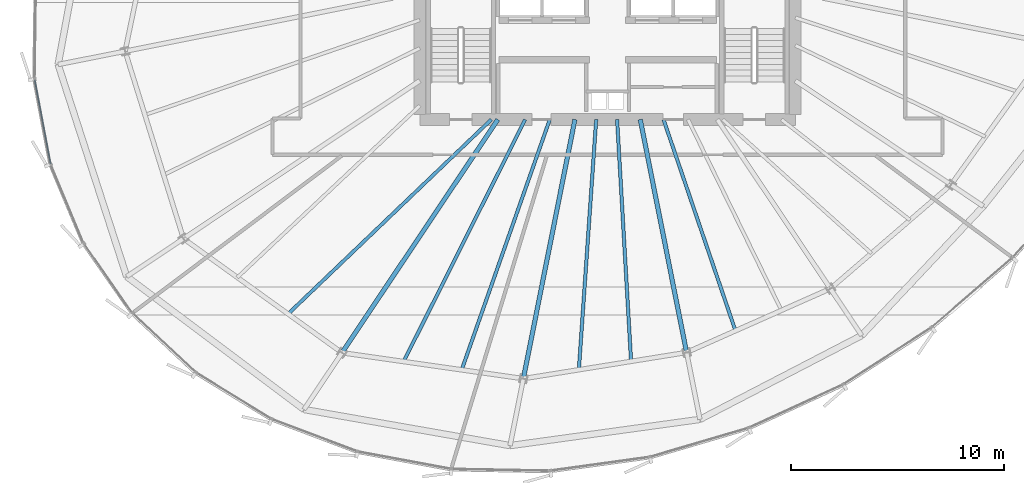
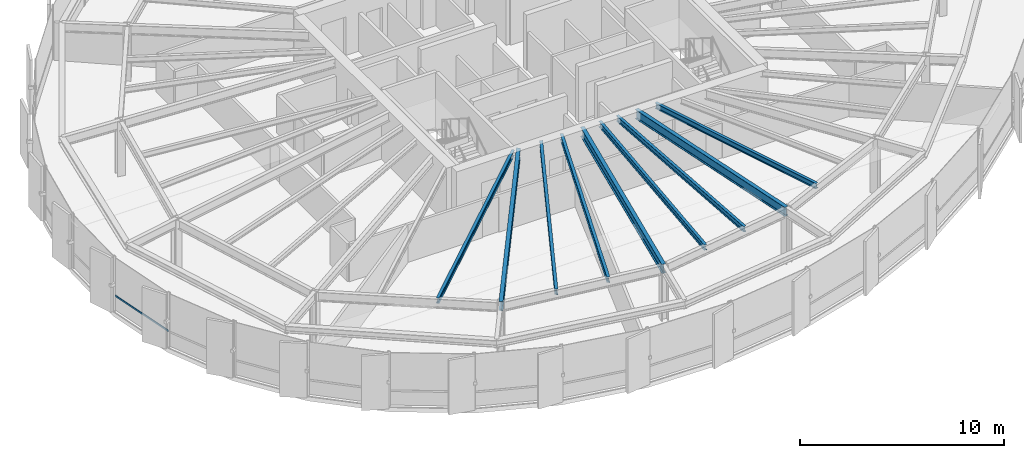
# One storey, part 7 of 36: 9 beams, 1 member, 1 element without a shape of its own.
"""IFC4 building model written with IfcOpenShell, lengths in metres."""

from ifc_helpers import new_model, si_unit, direction, frame, origin, origin_2d, place, context, subcontext, project, spatial, hollow_rectangle, i_section, extrude, source, transform, mapped, material, layer, layer_set, material_profile, profile_set, type_object, element, aggregate, save


model = new_model("IFC4")

# Units and contexts
model_context = context("Model", 3, precision=1e-05, world=origin(), true_north=direction((0.0, 1.0)))
body_context = subcontext(model_context, "Body", "Model", "MODEL_VIEW")
ifc_project = project(units=[si_unit("LENGTHUNIT", "METRE"), si_unit("AREAUNIT", "SQUARE_METRE"), si_unit("VOLUMEUNIT", "CUBIC_METRE"), si_unit("PLANEANGLEUNIT", "RADIAN"), si_unit("MASSUNIT", "GRAM", prefix="KILO"), si_unit("THERMODYNAMICTEMPERATUREUNIT", "KELVIN")], contexts=[model_context])

# Site, building, storey
site_placement = place(None, origin())
site = spatial("IfcSite", under=ifc_project, at=site_placement, CompositionType="ELEMENT")
building_placement = place(site_placement, origin())
building = spatial("IfcBuilding", under=site, at=building_placement, Name="Kethvar Cultural Tower", CompositionType="ELEMENT")
storey_placement = place(building_placement, frame((0.0, 0.0, 150.10009765625)))
storey = spatial("IfcBuildingStorey", under=building, at=storey_placement, Name="L38", CompositionType="ELEMENT", Elevation=150.10009765625)

# Beams
ifc_material_1 = material(Name="Steel S355J2", Category="steel")
ifc_material_profile_1 = material_profile(ifc_material_1, i_section(OverallWidth=0.2099609375, OverallDepth=0.550048828125, WebThickness=0.010986328125, FlangeThickness=0.01708984375, FilletRadius=0.02392578125, at=origin_2d()), Name="Steel S355J2 — IPE550")
ifc_profile_set_1 = profile_set([ifc_material_profile_1], Name="Steel S355J2 — IPE550")
beam_type_1 = type_object("IfcBeamType", Name="BM-IPE550", PredefinedType="BEAM", material=ifc_profile_set_1)
shared_shape_1 = source(origin(), body_context, "Body", "SweptSolid", [
    extrude(i_section(OverallWidth=0.2099609375, OverallDepth=0.550048828125, WebThickness=0.010986328125, FlangeThickness=0.01708984375, FilletRadius=0.02392578125, at=origin_2d()), origin(), (0.0, 0.0, 1.0), 13.147216796875),
])
beam_1_placement = place(storey_placement, frame((41.655029296875, 20.10009765625, 3.02294921875), z_axis=(-0.555565525446, -0.831472757783, 0.0), x_axis=(0.831472757783, -0.555565525446, 0.0)))
element("IfcBeam", 1, at=beam_1_placement, inside=storey, type_object=beam_type_1, Name="L38 Primary Radial Beam RB-11", PredefinedType="BEAM", context=body_context, shape_type="MappedRepresentation", body=[
    mapped(shared_shape_1, transform((0.0, 0.0, 0.0), scale=1.0)),
])
shared_shape_2 = source(origin(), body_context, "Body", "SweptSolid", [
    extrude(i_section(OverallWidth=0.2099609375, OverallDepth=0.550048828125, WebThickness=0.010986328125, FlangeThickness=0.01708984375, FilletRadius=0.02392578125, at=origin_2d()), origin(), (0.0, 0.0, 1.0), 12.384521484375),
])
beam_2_placement = place(storey_placement, frame((45.268310546875, 20.10009765625, 3.02294921875), z_axis=(-0.195084858678, -0.980786367113, 0.0), x_axis=(0.980786367113, -0.195084858678, 0.0)))
element("IfcBeam", 2, at=beam_2_placement, inside=storey, type_object=beam_type_1, Name="L38 Primary Radial Beam RB-12", PredefinedType="BEAM", context=body_context, shape_type="MappedRepresentation", body=[
    mapped(shared_shape_2, transform((0.0, 0.0, 0.0), scale=1.0)),
])
shared_shape_3 = source(origin(), body_context, "Body", "SweptSolid", [
    extrude(i_section(OverallWidth=0.2099609375, OverallDepth=0.550048828125, WebThickness=0.010986328125, FlangeThickness=0.01708984375, FilletRadius=0.02392578125, at=origin_2d()), origin(), (0.0, 0.0, 1.0), 11.131591796875),
])
beam_3_placement = place(storey_placement, frame((48.33154296875, 20.10009765625, 3.02294921875), z_axis=(0.195107998266, -0.980781764213, 0.0), x_axis=(0.980781764213, 0.195107998266, 0.0)))
element("IfcBeam", 3, at=beam_3_placement, inside=storey, type_object=beam_type_1, Name="L38 Primary Radial Beam RB-13", PredefinedType="BEAM", context=body_context, shape_type="MappedRepresentation", body=[
    mapped(shared_shape_3, transform((0.0, 0.0, 0.0), scale=1.0)),
])
ifc_material_profile_2 = material_profile(ifc_material_1, i_section(OverallWidth=0.159912109375, OverallDepth=0.330078125, WebThickness=0.007568359375, FlangeThickness=0.011474609375, FilletRadius=0.01806640625, at=origin_2d()), Name="Steel S355J2 — IPE330")
ifc_profile_set_2 = profile_set([ifc_material_profile_2], Name="Steel S355J2 — IPE330")
beam_type_2 = type_object("IfcBeamType", Name="BM-J330", PredefinedType="JOIST", material=ifc_profile_set_2)
shared_shape_4 = source(origin(), body_context, "Body", "SweptSolid", [
    extrude(i_section(OverallWidth=0.159912109375, OverallDepth=0.330078125, WebThickness=0.007568359375, FlangeThickness=0.011474609375, FilletRadius=0.01806640625, at=origin_2d()), origin(), (0.0, 0.0, 1.0), 13.1826171875),
])
beam_4_placement = place(storey_placement, frame((41.35009765625, 20.10009765625, 3.1328125), z_axis=(-0.722573880181, -0.691293705801, 0.0), x_axis=(0.691293705801, -0.722573880181, 0.0)))
element("IfcBeam", 4, at=beam_4_placement, inside=storey, type_object=beam_type_2, Name="L38 Composite Floor Joist J-10B", PredefinedType="JOIST", context=body_context, shape_type="MappedRepresentation", body=[
    mapped(shared_shape_4, transform((0.0, 0.0, 0.0), scale=1.0)),
])
shared_shape_5 = source(origin(), body_context, "Body", "SweptSolid", [
    extrude(i_section(OverallWidth=0.159912109375, OverallDepth=0.330078125, WebThickness=0.007568359375, FlangeThickness=0.011474609375, FilletRadius=0.01806640625, at=origin_2d()), origin(), (0.0, 0.0, 1.0), 12.693603515625),
])
beam_5_placement = place(storey_placement, frame((42.935302734375, 20.10009765625, 3.1328125), z_axis=(-0.448582495233, -0.893741430712, 0.0), x_axis=(0.893741430712, -0.448582495233, 0.0)))
element("IfcBeam", 5, at=beam_5_placement, inside=storey, type_object=beam_type_2, Name="L38 Composite Floor Joist J-11A", PredefinedType="JOIST", context=body_context, shape_type="MappedRepresentation", body=[
    mapped(shared_shape_5, transform((0.0, 0.0, 0.0), scale=1.0)),
])
shared_shape_6 = source(origin(), body_context, "Body", "SweptSolid", [
    extrude(i_section(OverallWidth=0.159912109375, OverallDepth=0.330078125, WebThickness=0.007568359375, FlangeThickness=0.011474609375, FilletRadius=0.01806640625, at=origin_2d()), origin(), (0.0, 0.0, 1.0), 12.4384765625),
])
beam_6_placement = place(storey_placement, frame((44.090576171875, 20.10009765625, 3.1328125), z_axis=(-0.331923676994, -0.943306245421, 0.0), x_axis=(0.943306245421, -0.331923676994, 0.0)))
element("IfcBeam", 6, at=beam_6_placement, inside=storey, type_object=beam_type_2, Name="L38 Composite Floor Joist J-11B", PredefinedType="JOIST", context=body_context, shape_type="MappedRepresentation", body=[
    mapped(shared_shape_6, transform((0.0, 0.0, 0.0), scale=1.0)),
])
shared_shape_7 = source(origin(), body_context, "Body", "SweptSolid", [
    extrude(i_section(OverallWidth=0.159912109375, OverallDepth=0.330078125, WebThickness=0.007568359375, FlangeThickness=0.011474609375, FilletRadius=0.01806640625, at=origin_2d()), origin(), (0.0, 0.0, 1.0), 11.7568359375),
])
beam_7_placement = place(storey_placement, frame((46.266357421875, 20.10009765625, 3.1328125), z_axis=(-0.069129203877, -0.997607715072, 0.0), x_axis=(0.997607715072, -0.069129203877, 0.0)))
element("IfcBeam", 7, at=beam_7_placement, inside=storey, type_object=beam_type_2, Name="L38 Composite Floor Joist J-12A", PredefinedType="JOIST", context=body_context, shape_type="MappedRepresentation", body=[
    mapped(shared_shape_7, transform((0.0, 0.0, 0.0), scale=1.0)),
])
shared_shape_8 = source(origin(), body_context, "Body", "SweptSolid", [
    extrude(i_section(OverallWidth=0.159912109375, OverallDepth=0.330078125, WebThickness=0.007568359375, FlangeThickness=0.011474609375, FilletRadius=0.01806640625, at=origin_2d()), origin(), (0.0, 0.0, 1.0), 11.354736328125),
])
beam_8_placement = place(storey_placement, frame((47.245849609375, 20.10009765625, 3.1328125), z_axis=(0.057795585741, -0.998328438075, 0.0), x_axis=(0.998328438075, 0.057795585741, 0.0)))
element("IfcBeam", 8, at=beam_8_placement, inside=storey, type_object=beam_type_2, Name="L38 Composite Floor Joist J-12B", PredefinedType="JOIST", context=body_context, shape_type="MappedRepresentation", body=[
    mapped(shared_shape_8, transform((0.0, 0.0, 0.0), scale=1.0)),
])
shared_shape_9 = source(origin(), body_context, "Body", "SweptSolid", [
    extrude(i_section(OverallWidth=0.159912109375, OverallDepth=0.330078125, WebThickness=0.007568359375, FlangeThickness=0.011474609375, FilletRadius=0.01806640625, at=origin_2d()), origin(), (0.0, 0.0, 1.0), 10.45947265625),
])
beam_9_placement = place(storey_placement, frame((49.42236328125, 20.10009765625, 3.1328125), z_axis=(0.322390188368, -0.94660687006, 0.0), x_axis=(0.94660687006, 0.322390188368, 0.0)))
element("IfcBeam", 9, at=beam_9_placement, inside=storey, type_object=beam_type_2, Name="L38 Composite Floor Joist J-13A", PredefinedType="JOIST", context=body_context, shape_type="MappedRepresentation", body=[
    mapped(shared_shape_9, transform((0.0, 0.0, 0.0), scale=1.0)),
])

# Curtain wall, member
ifc_material_2 = material(Name="Aluminium 6063-T6", Category="aluminium")
ifc_layer = layer(ifc_material_2, 0.179931640625, Name="Aluminium 6063-T6", Category="aluminium")
ifc_layer_set = layer_set([ifc_layer], Name="Aluminium 6063-T6 (180 mm)")
curtain_wall_type = type_object("IfcCurtainWallType", Name="CW-SYS-04-Z34", PredefinedType="NOTDEFINED", material=ifc_layer_set)
curtain_wall_placement = place(storey_placement, origin())
curtain_wall = element("IfcCurtainWall", 10, at=curtain_wall_placement, inside=storey, type_object=curtain_wall_type, Name="L38 Curtain Wall Run 03", PredefinedType="NOTDEFINED")
ifc_material_profile_3 = material_profile(ifc_material_2, hollow_rectangle(XDim=0.050048828125, YDim=0.10009765625, WallThickness=0.00390625, at=origin_2d()), Name="Aluminium 6063-T6 — RHS100x50x4")
ifc_profile_set_3 = profile_set([ifc_material_profile_3], Name="Aluminium 6063-T6 — RHS100x50x4")
member_type = type_object("IfcMemberType", Name="CW-SYS-04-Z34-TRN", PredefinedType="USERDEFINED", material=ifc_profile_set_3)
shared_shape_10 = source(origin(), body_context, "Body", "SweptSolid", [
    extrude(hollow_rectangle(XDim=0.050048828125, YDim=0.10009765625, WallThickness=0.00390625, at=origin_2d()), origin(), (0.0, 0.0, 1.0), 3.998779296875),
])
member_placement = place(storey_placement, frame((19.950927734375, 21.95458984375, 0.949951171875), z_axis=(0.185667035713, -0.982612717122, 0.0), x_axis=(0.982612717122, 0.185667035713, 0.0)))
member = element("IfcMember", 11, at=member_placement, type_object=member_type, Name="CW-L38-R03 Transom 5", ObjectType="TRANSOM", PredefinedType="USERDEFINED", context=body_context, shape_type="MappedRepresentation", body=[
    mapped(shared_shape_10, transform((0.0, 0.0, 0.0), scale=1.0)),
])
aggregate(curtain_wall, [member])

save(model, "model.ifc")
